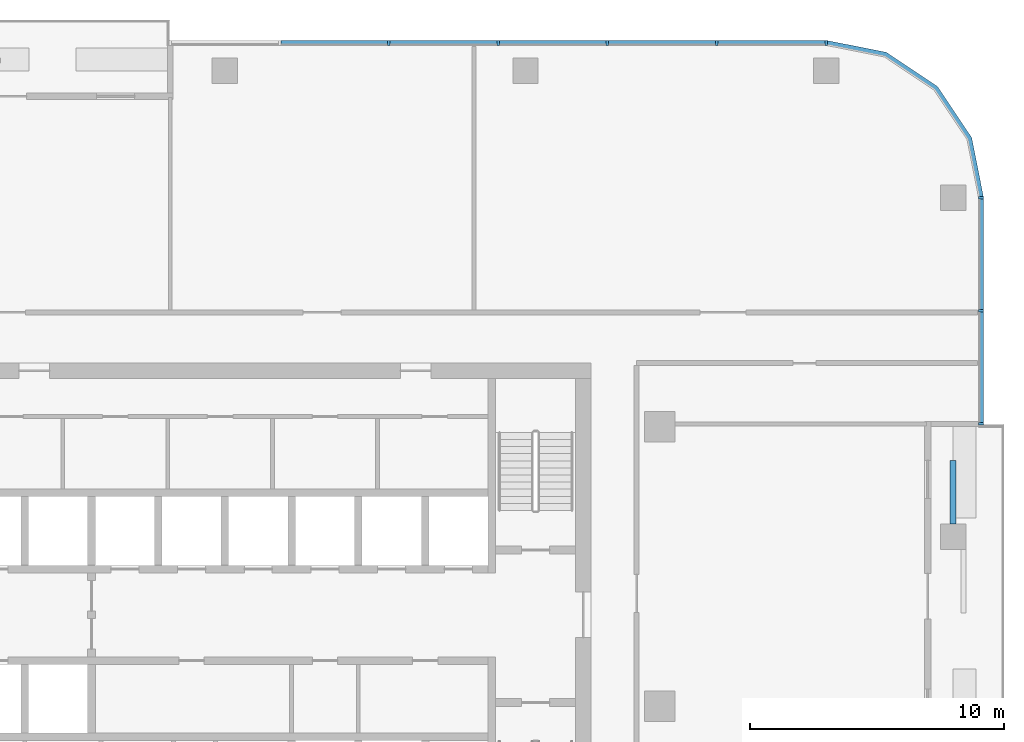
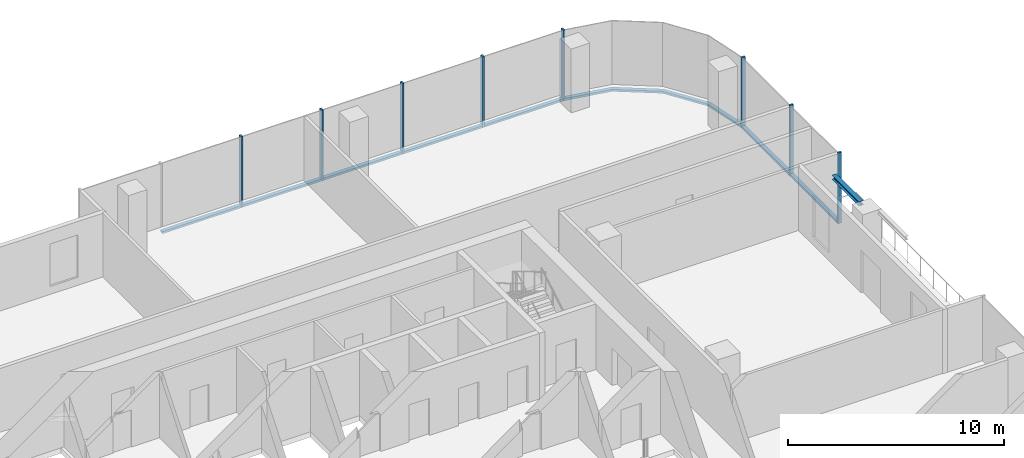
# One storey, part 5 of 13: 16 members, 1 beam, 3 elements without a shape of their own.
"""IFC4 building model written with IfcOpenShell, lengths in metres."""

from ifc_helpers import new_model, si_unit, direction, frame, origin, origin_2d, place, context, subcontext, project, spatial, polyline, rectangle, i_section, outline, extrude, material, material_profile, profile_set, type_object, element, aggregate, save


model = new_model("IFC4")

# Units and contexts
model_context = context("Model", 3, precision=1e-05, world=origin(), true_north=direction((0.0, 1.0)))
body_context = subcontext(model_context, "Body", "Model", "MODEL_VIEW")
ifc_project = project(units=[si_unit("LENGTHUNIT", "METRE"), si_unit("AREAUNIT", "SQUARE_METRE"), si_unit("VOLUMEUNIT", "CUBIC_METRE"), si_unit("PLANEANGLEUNIT", "RADIAN"), si_unit("MASSUNIT", "GRAM", prefix="KILO")], contexts=[model_context])

# Site, building, storey
site_placement = place(None, origin())
site = spatial("IfcSite", under=ifc_project, at=site_placement, CompositionType="ELEMENT")
building_placement = place(site_placement, origin())
building = spatial("IfcBuilding", under=site, at=building_placement, Name="Mopane Tessera Tower", CompositionType="ELEMENT")
storey_placement = place(building_placement, frame((0.0, 0.0, 295.39990234375)))
storey = spatial("IfcBuildingStorey", under=building, at=storey_placement, Name="L64", CompositionType="ELEMENT", Elevation=295.39990234375)

# Curtain wall, members
ifc_material_1 = material(Name="Aluminium frame", Category="aluminium")
curtain_wall_type = type_object("IfcCurtainWallType", Name="Unitised curtain wall", PredefinedType="NOTDEFINED", material=ifc_material_1)
curtain_wall_1_placement = place(storey_placement, origin())
curtain_wall_1 = element("IfcCurtainWall", 1, at=curtain_wall_1_placement, inside=storey, type_object=curtain_wall_type, Name="e:cw:L64:E:7", PredefinedType="NOTDEFINED")
ifc_material_2 = material(Name="Aluminium frame", Category="aluminium")
ifc_material_profile_1 = material_profile(ifc_material_2, rectangle(XDim=0.10009765625, YDim=0.199951171875, at=origin_2d()))
ifc_profile_set_1 = profile_set([ifc_material_profile_1], Name="Aluminium frame")
member_type_1 = type_object("IfcMemberType", Name="Aluminium mullion 100 x 200", PredefinedType="MULLION", material=ifc_profile_set_1)
member_1_placement = place(storey_placement, frame((29.75, 11.111083984375, -0.39990234375), z_axis=(0.0, 0.0, 1.0), x_axis=(0.0, 1.0, 0.0)))
member_1 = element("IfcMember", 2, at=member_1_placement, type_object=member_type_1, Name="e:cw:L64:E:7:mu7", PredefinedType="MULLION", context=body_context, shape_type="SweptSolid", body=[
    extrude(rectangle(XDim=0.10009765625, YDim=0.199951171875, at=origin_2d()), origin(), (0.0, 0.0, 1.0), 4.0),
])
member_2_placement = place(storey_placement, frame((29.75, 15.5556640625, -0.39990234375), z_axis=(0.0, 0.0, 1.0), x_axis=(0.0, 1.0, 0.0)))
member_2 = element("IfcMember", 3, at=member_2_placement, type_object=member_type_1, Name="e:cw:L64:E:7:mu8", PredefinedType="MULLION", context=body_context, shape_type="SweptSolid", body=[
    extrude(rectangle(XDim=0.10009765625, YDim=0.199951171875, at=origin_2d()), origin(), (0.0, 0.0, 1.0), 4.0),
])
member_3_placement = place(storey_placement, frame((29.75, 20.0, -0.39990234375), z_axis=(0.0, 0.0, 1.0), x_axis=(0.0, 1.0, 0.0)))
member_3 = element("IfcMember", 4, at=member_3_placement, type_object=member_type_1, Name="e:cw:L64:E:7:mu9", PredefinedType="MULLION", context=body_context, shape_type="SweptSolid", body=[
    extrude(rectangle(XDim=0.10009765625, YDim=0.199951171875, at=origin_2d()), origin(), (0.0, 0.0, 1.0), 4.0),
])

curtain_wall_2_placement = place(storey_placement, origin())
curtain_wall_2 = element("IfcCurtainWall", 5, at=curtain_wall_2_placement, inside=storey, type_object=curtain_wall_type, Name="e:cw:L64:N:0", PredefinedType="NOTDEFINED")
member_4_placement = place(storey_placement, frame((23.64990234375, 26.10009765625, -0.39990234375), z_axis=(0.0, 0.0, 1.0), x_axis=(-1.0, 0.0, 0.0)))
member_4 = element("IfcMember", 6, at=member_4_placement, type_object=member_type_1, Name="e:cw:L64:N:0:mu0", PredefinedType="MULLION", context=body_context, shape_type="SweptSolid", body=[
    extrude(rectangle(XDim=0.10009765625, YDim=0.199951171875, at=origin_2d()), origin(), (0.0, 0.0, 1.0), 4.0),
])
member_5_placement = place(storey_placement, frame((19.35009765625, 26.10009765625, -0.39990234375), z_axis=(0.0, 0.0, 1.0), x_axis=(-1.0, 0.0, 0.0)))
member_5 = element("IfcMember", 7, at=member_5_placement, type_object=member_type_1, Name="e:cw:L64:N:0:mu1", PredefinedType="MULLION", context=body_context, shape_type="SweptSolid", body=[
    extrude(rectangle(XDim=0.10009765625, YDim=0.199951171875, at=origin_2d()), origin(), (0.0, 0.0, 1.0), 4.0),
])
member_6_placement = place(storey_placement, frame((15.050048828125, 26.10009765625, -0.39990234375), z_axis=(0.0, 0.0, 1.0), x_axis=(-1.0, 0.0, 0.0)))
member_6 = element("IfcMember", 8, at=member_6_placement, type_object=member_type_1, Name="e:cw:L64:N:0:mu2", PredefinedType="MULLION", context=body_context, shape_type="SweptSolid", body=[
    extrude(rectangle(XDim=0.10009765625, YDim=0.199951171875, at=origin_2d()), origin(), (0.0, 0.0, 1.0), 4.0),
])
member_7_placement = place(storey_placement, frame((10.75, 26.10009765625, -0.39990234375), z_axis=(0.0, 0.0, 1.0), x_axis=(-1.0, 0.0, 0.0)))
member_7 = element("IfcMember", 9, at=member_7_placement, type_object=member_type_1, Name="e:cw:L64:N:0:mu3", PredefinedType="MULLION", context=body_context, shape_type="SweptSolid", body=[
    extrude(rectangle(XDim=0.10009765625, YDim=0.199951171875, at=origin_2d()), origin(), (0.0, 0.0, 1.0), 4.0),
])
member_8_placement = place(storey_placement, frame((6.449951171875, 26.10009765625, -0.39990234375), z_axis=(0.0, 0.0, 1.0), x_axis=(-1.0, 0.0, 0.0)))
member_8 = element("IfcMember", 10, at=member_8_placement, type_object=member_type_1, Name="e:cw:L64:N:0:mu4", PredefinedType="MULLION", context=body_context, shape_type="SweptSolid", body=[
    extrude(rectangle(XDim=0.10009765625, YDim=0.199951171875, at=origin_2d()), origin(), (0.0, 0.0, 1.0), 4.0),
])

# Member
ifc_material_3 = material(Name="Aluminium frame", Category="aluminium")
ifc_material_profile_2 = material_profile(ifc_material_3, rectangle(XDim=0.199951171875, YDim=0.1201171875, at=origin_2d()))
ifc_profile_set_2 = profile_set([ifc_material_profile_2], Name="Aluminium frame")
member_type_2 = type_object("IfcMemberType", Name="Aluminium transom 200 x 120", PredefinedType="USERDEFINED", material=ifc_profile_set_2)
member_9_placement = place(storey_placement, frame((29.75, 11.1611328125, -0.33984375), z_axis=(0.0, 1.0, 0.0), x_axis=(-1.0, 0.0, 0.0)))
member_9 = element("IfcMember", 11, at=member_9_placement, type_object=member_type_2, Name="e:cw:L64:E:7:tr7", ObjectType="TRANSOM", PredefinedType="USERDEFINED", context=body_context, shape_type="SweptSolid", body=[
    extrude(rectangle(XDim=0.199951171875, YDim=0.1201171875, at=origin_2d()), origin(), (0.0, 0.0, 1.0), 4.344482421875),
])

member_10_placement = place(storey_placement, frame((29.75, 15.60546875, -0.33984375), z_axis=(0.0, 1.0, 0.0), x_axis=(-1.0, 0.0, 0.0)))
member_10 = element("IfcMember", 12, at=member_10_placement, type_object=member_type_2, Name="e:cw:L64:E:7:tr8", ObjectType="TRANSOM", PredefinedType="USERDEFINED", context=body_context, shape_type="SweptSolid", body=[
    extrude(rectangle(XDim=0.199951171875, YDim=0.1201171875, at=origin_2d()), origin(), (0.0, 0.0, 1.0), 4.344482421875),
])

aggregate(curtain_wall_1, [member_1, member_2, member_3, member_9, member_10])

# Curtain wall, member
curtain_wall_3_placement = place(storey_placement, origin())
curtain_wall_3 = element("IfcCurtainWall", 13, at=curtain_wall_3_placement, inside=storey, type_object=curtain_wall_type, Name="e:cw:L64:CE", PredefinedType="NOTDEFINED")
member_11_placement = place(storey_placement, frame((0.0, 0.0, -0.39990234375)))
member_11 = element("IfcMember", 14, at=member_11_placement, type_object=member_type_2, Name="e:cw:L64:CE:tr", ObjectType="TRANSOM", PredefinedType="USERDEFINED", context=body_context, shape_type="SweptSolid", body=[
    extrude(outline(polyline([(29.64990234375, 20.0), (29.193359375, 22.296142578125), (27.892578125, 24.24267578125), (25.946044921875, 25.543212890625), (23.64990234375, 26.0), (23.64990234375, 26.199951171875), (26.022705078125, 25.72802734375), (28.0341796875, 24.384033203125), (29.378173828125, 22.37255859375), (29.85009765625, 20.0), (29.64990234375, 20.0)])), origin(), (0.0, 0.0, 1.0), 0.1201171875),
])
aggregate(curtain_wall_3, [member_11])

# Member
member_12_placement = place(storey_placement, frame((23.60009765625, 26.10009765625, -0.33984375), z_axis=(-1.0, 0.0, 0.0), x_axis=(0.0, -1.0, 0.0)))
member_12 = element("IfcMember", 15, at=member_12_placement, type_object=member_type_2, Name="e:cw:L64:N:0:tr0", ObjectType="TRANSOM", PredefinedType="USERDEFINED", context=body_context, shape_type="SweptSolid", body=[
    extrude(rectangle(XDim=0.199951171875, YDim=0.1201171875, at=origin_2d()), origin(), (0.0, 0.0, 1.0), 4.2001953125),
])

member_13_placement = place(storey_placement, frame((19.300048828125, 26.10009765625, -0.33984375), z_axis=(-1.0, 0.0, 0.0), x_axis=(0.0, -1.0, 0.0)))
member_13 = element("IfcMember", 16, at=member_13_placement, type_object=member_type_2, Name="e:cw:L64:N:0:tr1", ObjectType="TRANSOM", PredefinedType="USERDEFINED", context=body_context, shape_type="SweptSolid", body=[
    extrude(rectangle(XDim=0.199951171875, YDim=0.1201171875, at=origin_2d()), origin(), (0.0, 0.0, 1.0), 4.199951171875),
])

member_14_placement = place(storey_placement, frame((15.0, 26.10009765625, -0.33984375), z_axis=(-1.0, 0.0, 0.0), x_axis=(0.0, -1.0, 0.0)))
member_14 = element("IfcMember", 17, at=member_14_placement, type_object=member_type_2, Name="e:cw:L64:N:0:tr2", ObjectType="TRANSOM", PredefinedType="USERDEFINED", context=body_context, shape_type="SweptSolid", body=[
    extrude(rectangle(XDim=0.199951171875, YDim=0.1201171875, at=origin_2d()), origin(), (0.0, 0.0, 1.0), 4.199951171875),
])

member_15_placement = place(storey_placement, frame((10.699951171875, 26.10009765625, -0.33984375), z_axis=(-1.0, 0.0, 0.0), x_axis=(0.0, -1.0, 0.0)))
member_15 = element("IfcMember", 18, at=member_15_placement, type_object=member_type_2, Name="e:cw:L64:N:0:tr3", ObjectType="TRANSOM", PredefinedType="USERDEFINED", context=body_context, shape_type="SweptSolid", body=[
    extrude(rectangle(XDim=0.199951171875, YDim=0.1201171875, at=origin_2d()), origin(), (0.0, 0.0, 1.0), 4.199951171875),
])

member_16_placement = place(storey_placement, frame((6.39990234375, 26.10009765625, -0.33984375), z_axis=(-1.0, 0.0, 0.0), x_axis=(0.0, -1.0, 0.0)))
member_16 = element("IfcMember", 19, at=member_16_placement, type_object=member_type_2, Name="e:cw:L64:N:0:tr4", ObjectType="TRANSOM", PredefinedType="USERDEFINED", context=body_context, shape_type="SweptSolid", body=[
    extrude(rectangle(XDim=0.199951171875, YDim=0.1201171875, at=origin_2d()), origin(), (0.0, 0.0, 1.0), 4.199951171875),
])

aggregate(curtain_wall_2, [member_4, member_5, member_6, member_7, member_8, member_12, member_13, member_14, member_15, member_16])

# Beam
ifc_material_4 = material(Name="Structural steel S460", Category="steel")
ifc_material_profile_3 = material_profile(ifc_material_4, i_section(OverallWidth=0.239990234375, OverallDepth=0.239990234375, WebThickness=0.010009765625, FlangeThickness=0.01708984375, FilletRadius=0.02099609375, at=origin_2d()))
ifc_profile_set_3 = profile_set([ifc_material_profile_3], Name="Structural steel S460")
beam_type = type_object("IfcBeamType", Name="Terrace spandrel beam HE 240 B", PredefinedType="SPANDREL", material=ifc_profile_set_3)
beam_placement = place(storey_placement, frame((28.64990234375, 7.169677734375, 3.47998046875), z_axis=(0.0, 1.0, 0.0), x_axis=(-1.0, 0.0, 0.0)))
element("IfcBeam", 20, at=beam_placement, inside=storey, type_object=beam_type, Name="Terrace spandrel beam N1 L65", PredefinedType="SPANDREL", context=body_context, shape_type="SweptSolid", body=[
    extrude(i_section(OverallWidth=0.239990234375, OverallDepth=0.239990234375, WebThickness=0.010009765625, FlangeThickness=0.01708984375, FilletRadius=0.02099609375, at=origin_2d()), origin(), (0.0, 0.0, 1.0), 2.5),
])

save(model, "model.ifc")
